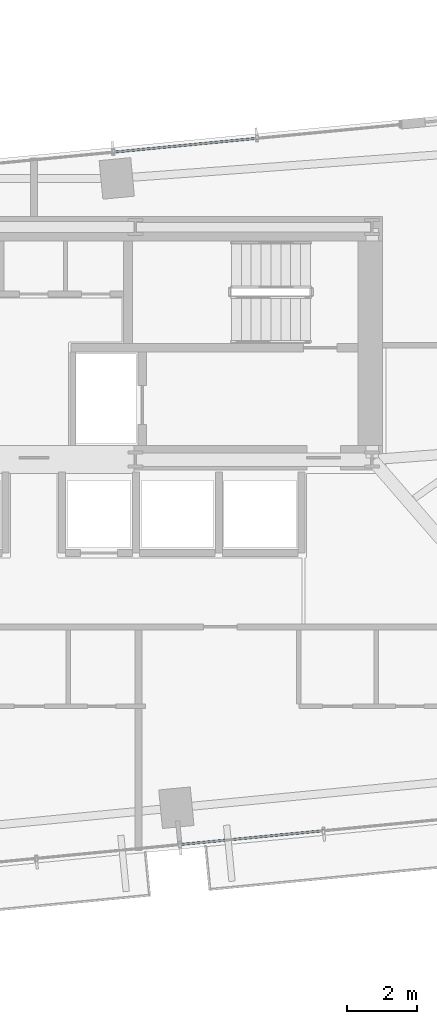
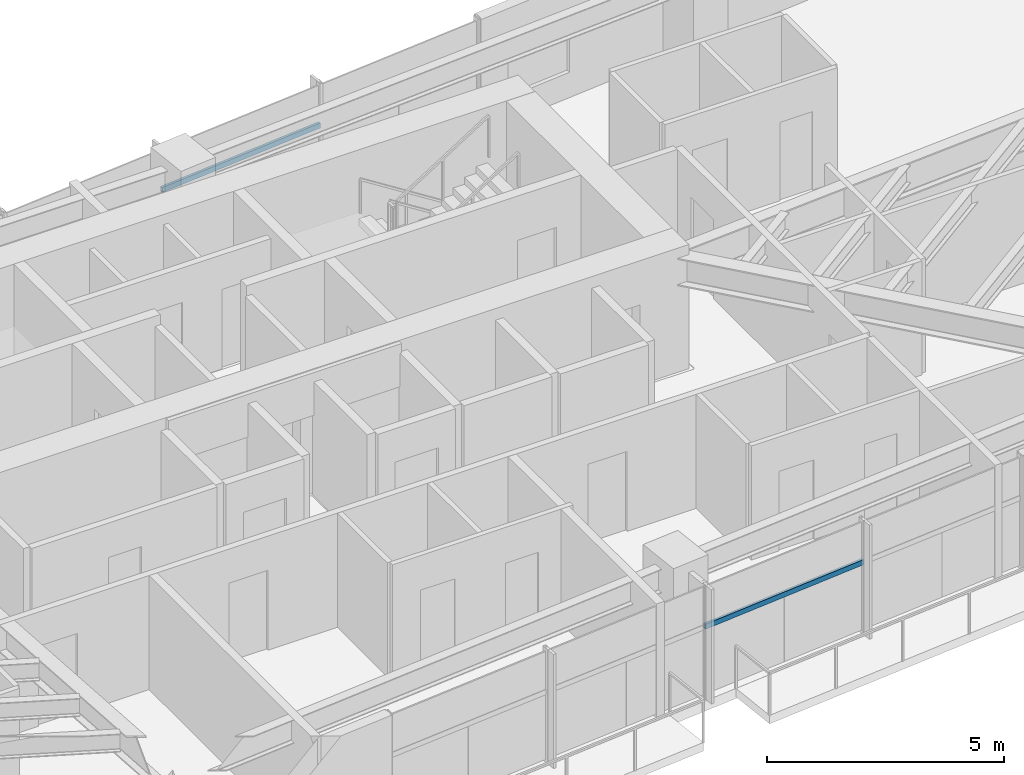
# One storey, part 11 of 27: 2 members, 2 elements without a shape of their own.
"""IFC4 building model written with IfcOpenShell, lengths in metres."""

from ifc_helpers import new_model, si_unit, direction, frame, origin, origin_2d, place, context, subcontext, project, spatial, hollow_rectangle, extrude, source, transform, mapped, material, material_profile, profile_set, type_object, type_shapes, element, aggregate, save


model = new_model("IFC4")

# Units and contexts
model_context = context("Model", 3, precision=1e-05, world=origin(), true_north=direction((0.0, 1.0)))
body_context = subcontext(model_context, "Body", "Model", "MODEL_VIEW")
ifc_project = project(units=[si_unit("LENGTHUNIT", "METRE"), si_unit("AREAUNIT", "SQUARE_METRE"), si_unit("VOLUMEUNIT", "CUBIC_METRE"), si_unit("PLANEANGLEUNIT", "RADIAN"), si_unit("MASSUNIT", "GRAM", prefix="KILO")], contexts=[model_context])

# Site, building, storey
site_placement = place(None, origin())
site = spatial("IfcSite", under=ifc_project, at=site_placement, CompositionType="ELEMENT")
building_placement = place(site_placement, origin())
building = spatial("IfcBuilding", under=site, at=building_placement, Name="Astriad Promenade Condominiums", CompositionType="ELEMENT")
storey_placement = place(building_placement, frame((0.0, 0.0, 109.800048828125)))
storey = spatial("IfcBuildingStorey", under=building, at=storey_placement, Name="L31", CompositionType="ELEMENT", Elevation=109.800048828125)

# Curtain wall, member
ifc_material_1 = material(Name="Anodised aluminium Black Dark Glass Unitised", Category="aluminium")
curtain_wall_type = type_object("IfcCurtainWallType", Name="CW-B2-DARK", PredefinedType="USERDEFINED", material=ifc_material_1)
curtain_wall_1_placement = place(storey_placement, origin())
curtain_wall_1 = element("IfcCurtainWall", 1, at=curtain_wall_1_placement, inside=storey, type_object=curtain_wall_type, Name="CW-L31-N", ObjectType="UNITISED_CURTAIN_WALL", PredefinedType="USERDEFINED")
ifc_material_2 = material(Name="Anodised aluminium 6063-T6 Black", Category="aluminium")
ifc_material_profile = material_profile(ifc_material_2, hollow_rectangle(XDim=0.06494140625, YDim=0.1298828125, WallThickness=0.00390625, at=origin_2d()), Name="ALU-TRN-65X130")
ifc_profile_set = profile_set([ifc_material_profile], Name="Anodised aluminium 6063-T6 Black")
member_type = type_object("IfcMemberType", Name="TRN-ALU-TRN-65X130", PredefinedType="USERDEFINED", material=ifc_profile_set)
shared_shape = source(origin(), body_context, "Body", "SweptSolid", [
    extrude(hollow_rectangle(XDim=0.06494140625, YDim=0.1298828125, WallThickness=0.00390625, at=origin_2d()), origin(), (0.0, 0.0, 1.0), 4.094970703125),
])
type_shapes(member_type, [shared_shape])
member_1_placement = place(storey_placement, frame((38.25390625, 26.12451171875, 1.82275390625), z_axis=(0.995394161585, 0.09586690296, 0.0), x_axis=(-0.09586690296, 0.995394161585, 0.0)))
member_1 = element("IfcMember", 2, at=member_1_placement, type_object=member_type, Name="CW-L31-N-TRN-02-0", ObjectType="TRANSOM", PredefinedType="USERDEFINED", context=body_context, shape_type="MappedRepresentation", body=[
    mapped(shared_shape, transform((0.0, 0.0, 0.0), scale=1.0)),
])
aggregate(curtain_wall_1, [member_1])

curtain_wall_2_placement = place(storey_placement, origin())
curtain_wall_2 = element("IfcCurtainWall", 3, at=curtain_wall_2_placement, inside=storey, type_object=curtain_wall_type, Name="CW-L31-S", ObjectType="UNITISED_CURTAIN_WALL", PredefinedType="USERDEFINED")
member_2_placement = place(storey_placement, frame((44.22216796875, 6.867919921875, 1.82275390625), z_axis=(-0.995394161585, -0.09586690296, 0.0), x_axis=(0.09586690296, -0.995394161585, 0.0)))
member_2 = element("IfcMember", 4, at=member_2_placement, type_object=member_type, Name="CW-L31-S-TRN-01-0", ObjectType="TRANSOM", PredefinedType="USERDEFINED", context=body_context, shape_type="MappedRepresentation", body=[
    mapped(shared_shape, transform((0.0, 0.0, 0.0), scale=1.0)),
])
aggregate(curtain_wall_2, [member_2])

save(model, "model.ifc")
